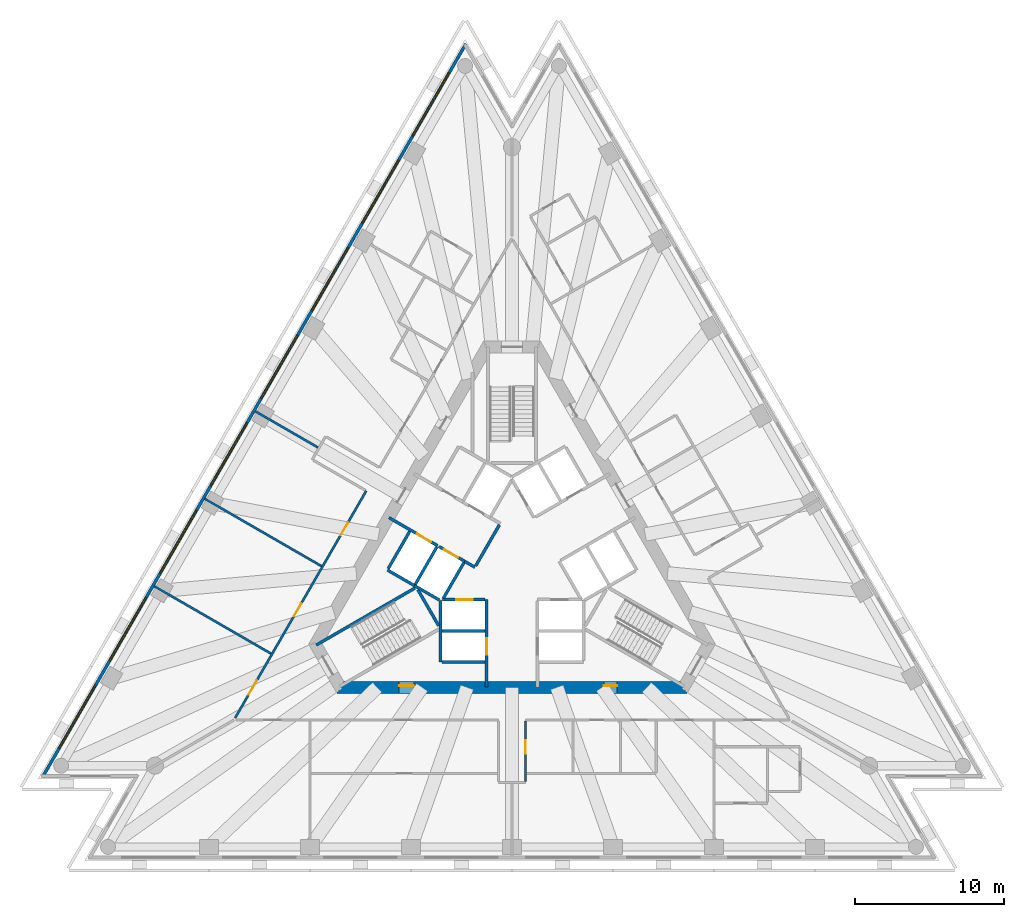
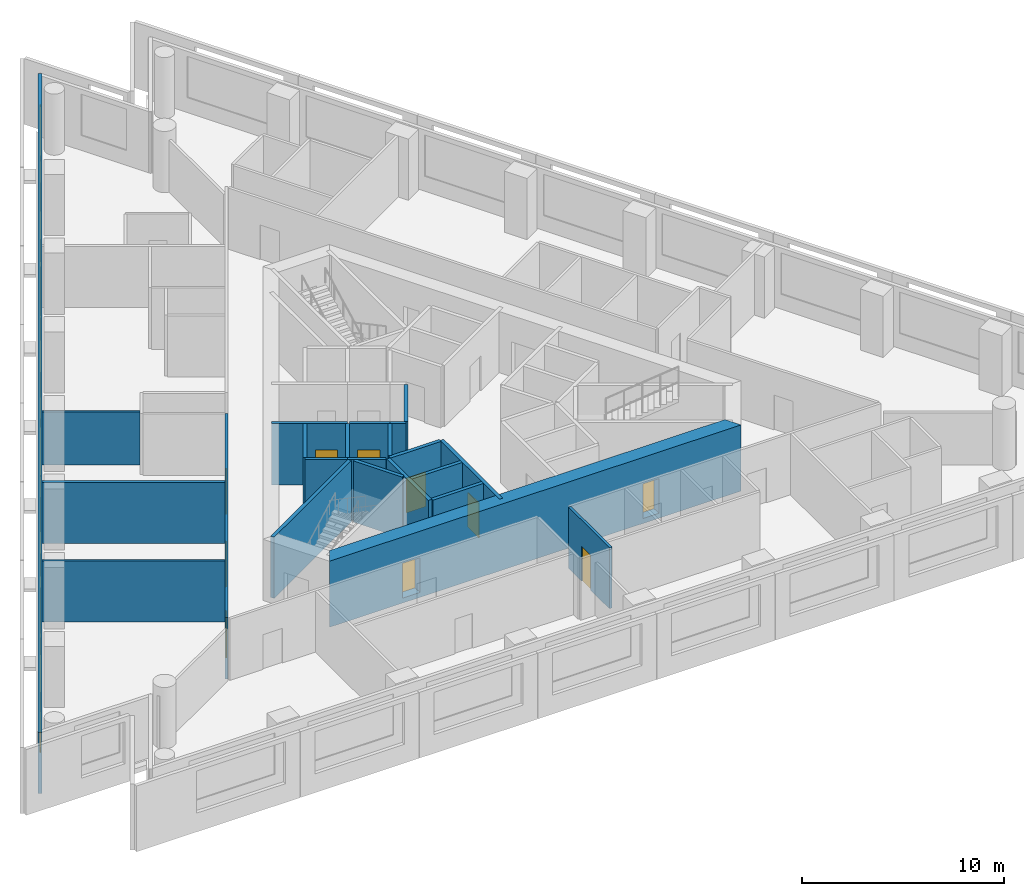
# One storey, part 3 of 9: 23 walls, 10 doors, 8 windows, 18 openings.
"""IFC4 building model written with IfcOpenShell, lengths in metres."""

from ifc_helpers import new_model, si_unit, direction, frame, frame_2d, origin, place, context, subcontext, project, spatial, polyline, rectangle, outline, extrude, material, layer, layer_set, layer_usage, type_object, element, fill, save


model = new_model("IFC4")

# Units and contexts
model_context = context("Model", 3, precision=1e-05, world=origin(), true_north=direction((0.0, 1.0)))
body_context = subcontext(model_context, "Body", "Model", "MODEL_VIEW")
ifc_project = project(units=[si_unit("LENGTHUNIT", "METRE"), si_unit("AREAUNIT", "SQUARE_METRE"), si_unit("VOLUMEUNIT", "CUBIC_METRE"), si_unit("PLANEANGLEUNIT", "RADIAN"), si_unit("MASSUNIT", "GRAM", prefix="KILO")], contexts=[model_context])

# Site, building, storey
site_placement = place(None, origin())
site = spatial("IfcSite", under=ifc_project, at=site_placement, CompositionType="ELEMENT")
building_placement = place(site_placement, origin())
building = spatial("IfcBuilding", under=site, at=building_placement, Name="Triada Interchange Tower", CompositionType="ELEMENT")
storey_placement = place(building_placement, frame((0.0, 0.0, 136.300048828125)))
storey = spatial("IfcBuildingStorey", under=building, at=storey_placement, Name="L31", CompositionType="ELEMENT", Elevation=136.300048828125)

# Walls
ifc_material_1 = material(Name="Concrete C30/37", Category="concrete")
ifc_layer_1 = layer(ifc_material_1, 0.199951171875)
ifc_layer_set_1 = layer_set([ifc_layer_1], Name="CORE WALL 200 EI 120")
wall_type_1 = type_object("IfcWallType", Name="CORE WALL 200 EI 120", PredefinedType="SOLIDWALL", material=ifc_layer_set_1)
wall_1_placement = place(storey_placement, frame((-8.3759765625, -0.70703125, 0.0), z_axis=(0.0, 0.0, 1.0), x_axis=(0.866067520717, -0.499927044236, 0.0)))
element("IfcWall", 1, at=wall_1_placement, inside=storey, type_object=wall_type_1, Name="Wall L29 54", PredefinedType="SOLIDWALL", context=body_context, shape_type="SweptSolid", body=[
    extrude(rectangle(XDim=2.100341796875, YDim=0.199951171875, at=frame_2d((1.05029296875, 0.0))), origin(), (0.0, 0.0, 1.0), 3.699951171875),
])
wall_2_placement = place(storey_placement, frame((-8.325927734375, -0.6201171875, 0.0), z_axis=(0.0, 0.0, 1.0), x_axis=(0.500023687443, 0.866011727401, 0.0)))
element("IfcWall", 2, at=wall_2_placement, inside=storey, type_object=wall_type_1, Name="Wall L29 55", PredefinedType="SOLIDWALL", context=body_context, shape_type="SweptSolid", body=[
    extrude(rectangle(XDim=2.899658203125, YDim=0.199951171875, at=frame_2d((1.44970703125, 0.0))), origin(), (0.0, 0.0, 1.0), 3.699951171875),
])
wall_3_placement = place(storey_placement, frame((-4.800048828125, -6.89990234375, 0.0), z_axis=(0.0, 0.0, 1.0), x_axis=(0.0, 1.0, 0.0)))
element("IfcWall", 3, at=wall_3_placement, inside=storey, type_object=wall_type_1, Name="Wall L29 56", PredefinedType="SOLIDWALL", context=body_context, shape_type="SweptSolid", body=[
    extrude(rectangle(XDim=4.130859375, YDim=0.199951171875, at=frame_2d((2.0654296875, 0.0))), origin(), (0.0, 0.0, 1.0), 3.699951171875),
])
for number, where, z_axis, x_axis, name in (
    (4, (-4.699951171875, -6.89990234375, 0.0), (0.0, 0.0, 1.0), (1.0, 0.0, 0.0), "Wall L29 57"),
    (5, (-4.699951171875, -4.800048828125, 0.0), (0.0, 0.0, 1.0), (1.0, 0.0, 0.0), "Wall L29 59"),
):
    element("IfcWall", number, at=place(storey_placement, frame(where, z_axis=z_axis, x_axis=x_axis)), inside=storey, type_object=wall_type_1, Name=name, PredefinedType="SOLIDWALL", context=body_context, shape_type="SweptSolid", body=[
        extrude(rectangle(XDim=2.89990234375, YDim=0.199951171875, at=frame_2d((1.449951171875, 0.0))), origin(), (0.0, 0.0, 1.0), 3.699951171875),
    ])

# Wall, opening, door
wall_4_placement = place(storey_placement, frame((-1.699951171875, -8.580078125, 0.0), z_axis=(0.0, 0.0, 1.0), x_axis=(0.0, 1.0, 0.0)))
wall_4 = element("IfcWall", 6, at=wall_4_placement, inside=storey, type_object=wall_type_1, Name="Wall L29 61", PredefinedType="SOLIDWALL", context=body_context, shape_type="SweptSolid", body=[
    extrude(rectangle(XDim=5.877197265625, YDim=0.199951171875, at=frame_2d((2.9384765625, 0.0))), origin(), (0.0, 0.0, 1.0), 3.699951171875),
])
opening_1_placement = place(wall_4_placement, frame((2.179931640625, 0.0, 0.0)))
opening_1 = element("IfcOpeningElement", 7, at=opening_1_placement, cuts=wall_4, Name="Opening LD-LR4", PredefinedType="OPENING", context=body_context, shape_type="SweptSolid", body=[
    extrude(rectangle(XDim=1.10009765625, YDim=2.10009765625, at=frame_2d((0.550048828125, 1.050048828125))), frame((0.0, 0.10986328125, 0.0), z_axis=(0.0, -1.0, 0.0), x_axis=(1.0, 0.0, 0.0)), (0.0, 0.0, 1.0), 0.219970703125),
])
ifc_material_2 = material(Name="Steel S235 door leaf", Category="steel")
door_type_1 = type_object("IfcDoorType", Name="LIFT LANDING DOOR 1100 EI 120", OperationType="SLIDING_TO_LEFT", PredefinedType="DOOR", material=ifc_material_2)
door_1_placement = place(opening_1_placement, origin())
door_1 = element("IfcDoor", 8, at=door_1_placement, inside=storey, type_object=door_type_1, Name="LR4 landing door L31", OperationType="SLIDING_TO_LEFT", OverallHeight=2.10009765625, OverallWidth=1.10009765625, PredefinedType="DOOR", context=body_context, shape_type="SweptSolid", body=[
    extrude(rectangle(XDim=1.10009765625, YDim=2.10009765625, at=frame_2d((0.550048828125, 1.050048828125))), frame((0.0, 0.02490234375, 0.0), z_axis=(0.0, -1.0, 0.0), x_axis=(1.0, 0.0, 0.0)), (0.0, 0.0, 1.0), 0.050048828125),
])
fill(opening_1, door_1)

wall_5_placement = place(storey_placement, frame((-4.676025390625, -2.699951171875, 0.0), z_axis=(0.0, 0.0, 1.0), x_axis=(1.0, 0.0, 0.0)))
wall_5 = element("IfcWall", 9, at=wall_5_placement, inside=storey, type_object=wall_type_1, Name="Wall L29 62", PredefinedType="SOLIDWALL", context=body_context, shape_type="SweptSolid", body=[
    extrude(rectangle(XDim=2.873046875, YDim=0.199951171875, at=frame_2d((1.4365234375, 0.0))), origin(), (0.0, 0.0, 1.0), 3.699951171875),
])
opening_2_placement = place(wall_5_placement, frame((0.93701171875, 0.0, 0.0)))
opening_2 = element("IfcOpeningElement", 10, at=opening_2_placement, cuts=wall_5, Name="Opening LD-LR3", PredefinedType="OPENING", context=body_context, shape_type="SweptSolid", body=[
    extrude(rectangle(XDim=1.10009765625, YDim=2.10009765625, at=frame_2d((0.550048828125, 1.050048828125))), frame((0.0, 0.10986328125, 0.0), z_axis=(0.0, -1.0, 0.0), x_axis=(1.0, 0.0, 0.0)), (0.0, 0.0, 1.0), 0.219970703125),
])
door_2_placement = place(opening_2_placement, origin())
door_2 = element("IfcDoor", 11, at=door_2_placement, inside=storey, type_object=door_type_1, Name="LR3 landing door L31", OperationType="SLIDING_TO_LEFT", OverallHeight=2.10009765625, OverallWidth=1.10009765625, PredefinedType="DOOR", context=body_context, shape_type="SweptSolid", body=[
    extrude(rectangle(XDim=1.10009765625, YDim=2.10009765625, at=frame_2d((0.550048828125, 1.050048828125))), frame((0.0, 0.02490234375, 0.0), z_axis=(0.0, -1.0, 0.0), x_axis=(1.0, 0.0, 0.0)), (0.0, 0.0, 1.0), 0.050048828125),
])
fill(opening_2, door_2)

ifc_layer_2 = layer(ifc_material_1, 0.199951171875)
ifc_layer_set_2 = layer_set([ifc_layer_2], Name="CORE WALL 200 EI 180")
wall_type_2 = type_object("IfcWallType", Name="CORE WALL 200 EI 180", PredefinedType="SOLIDWALL", material=ifc_layer_set_2)
wall_6_placement = place(storey_placement, frame((-8.280029296875, 2.818115234375, 0.0), z_axis=(0.0, 0.0, 1.0), x_axis=(0.86600175068, -0.50004096614, 0.0)))
wall_6 = element("IfcWall", 12, at=wall_6_placement, inside=storey, type_object=wall_type_2, Name="Wall L29 76", PredefinedType="SOLIDWALL", context=body_context, shape_type="SweptSolid", body=[
    extrude(rectangle(XDim=3.781982421875, YDim=0.199951171875, at=frame_2d((1.89111328125, 0.0))), origin(), (0.0, 0.0, 1.0), 3.699951171875),
])
opening_3_placement = place(wall_6_placement, frame((2.179931640625, 0.0, 0.0)))
opening_3 = element("IfcOpeningElement", 13, at=opening_3_placement, cuts=wall_6, Name="Opening LD-SV1", PredefinedType="OPENING", context=body_context, shape_type="SweptSolid", body=[
    extrude(rectangle(XDim=1.10009765625, YDim=2.10009765625, at=frame_2d((0.550048828125, 1.050048828125))), frame((0.0, 0.10986328125, 0.0), z_axis=(0.0, -1.0, 0.0), x_axis=(1.0, 0.0, 0.0)), (0.0, 0.0, 1.0), 0.219970703125),
])
door_3_placement = place(opening_3_placement, origin())
door_3 = element("IfcDoor", 14, at=door_3_placement, inside=storey, type_object=door_type_1, Name="SV1 landing door L31", OperationType="SLIDING_TO_LEFT", OverallHeight=2.10009765625, OverallWidth=1.10009765625, PredefinedType="DOOR", context=body_context, shape_type="SweptSolid", body=[
    extrude(rectangle(XDim=1.10009765625, YDim=2.10009765625, at=frame_2d((0.550048828125, 1.050048828125))), frame((0.0, 0.02490234375, 0.0), z_axis=(0.0, -1.0, 0.0), x_axis=(1.0, 0.0, 0.0)), (0.0, 0.0, 1.0), 0.050048828125),
])
fill(opening_3, door_3)

# Walls
wall_7_placement = place(storey_placement, frame((-3.18798828125, -0.1220703125, 0.0), z_axis=(0.0, 0.0, 1.0), x_axis=(0.865705793592, -0.50055317294, 0.0)))
element("IfcWall", 15, at=wall_7_placement, inside=storey, type_object=wall_type_2, Name="Wall L29 77", PredefinedType="SOLIDWALL", context=body_context, shape_type="SweptSolid", body=[
    extrude(rectangle(XDim=0.796875, YDim=0.199951171875, at=frame_2d((0.3984375, 0.0))), origin(), (0.0, 0.0, 1.0), 3.699951171875),
])
wall_8_placement = place(storey_placement, frame((-2.444091796875, -0.43310546875, 0.0), z_axis=(0.0, 0.0, 1.0), x_axis=(0.500035624827, 0.866004834804, 0.0)))
element("IfcWall", 16, at=wall_8_placement, inside=storey, type_object=wall_type_2, Name="Wall L29 82", PredefinedType="SOLIDWALL", context=body_context, shape_type="SweptSolid", body=[
    extrude(rectangle(XDim=3.194091796875, YDim=0.199951171875, at=frame_2d((1.59716796875, 0.0))), origin(), (0.0, 0.0, 1.0), 3.699951171875),
])
wall_9_placement = place(storey_placement, frame((-6.556884765625, -1.757080078125, 0.0), z_axis=(0.0, 0.0, 1.0), x_axis=(0.8659754619, -0.500086491905, 0.0)))
element("IfcWall", 17, at=wall_9_placement, inside=storey, type_object=wall_type_2, Name="Shaft wall FF1 L29 83", PredefinedType="SOLIDWALL", context=body_context, shape_type="SweptSolid", body=[
    extrude(rectangle(XDim=1.915771484375, YDim=0.199951171875, at=frame_2d((0.9580078125, 0.0))), origin(), (0.0, 0.0, 1.0), 3.699951171875),
])
wall_10_placement = place(storey_placement, frame((-6.507080078125, -1.669921875, 0.0), z_axis=(0.0, 0.0, 1.0), x_axis=(0.50012328804, 0.865954211699, 0.0)))
element("IfcWall", 18, at=wall_10_placement, inside=storey, type_object=wall_type_2, Name="Shaft wall FF1 L29 84", PredefinedType="SOLIDWALL", context=body_context, shape_type="SweptSolid", body=[
    extrude(rectangle(XDim=2.899658203125, YDim=0.199951171875, at=frame_2d((1.44970703125, 0.0))), origin(), (0.0, 0.0, 1.0), 3.699951171875),
])

# Wall, opening, door
wall_11_placement = place(storey_placement, frame((-4.919921875, 0.8779296875, 0.0), z_axis=(0.0, 0.0, 1.0), x_axis=(0.866010750942, -0.50002537861, 0.0)))
wall_11 = element("IfcWall", 19, at=wall_11_placement, inside=storey, type_object=wall_type_2, Name="Shaft wall FF1 L29 85", PredefinedType="SOLIDWALL", context=body_context, shape_type="SweptSolid", body=[
    extrude(rectangle(XDim=2.0, YDim=0.199951171875, at=frame_2d((1.0, 0.0))), origin(), (0.0, 0.0, 1.0), 3.699951171875),
])
opening_4_placement = place(wall_11_placement, frame((0.39990234375, 0.0, 0.0)))
opening_4 = element("IfcOpeningElement", 20, at=opening_4_placement, cuts=wall_11, Name="Opening LD-FF1", PredefinedType="OPENING", context=body_context, shape_type="SweptSolid", body=[
    extrude(rectangle(XDim=1.10009765625, YDim=2.10009765625, at=frame_2d((0.550048828125, 1.050048828125))), frame((0.0, 0.10986328125, 0.0), z_axis=(0.0, -1.0, 0.0), x_axis=(1.0, 0.0, 0.0)), (0.0, 0.0, 1.0), 0.219970703125),
])
door_4_placement = place(opening_4_placement, origin())
door_4 = element("IfcDoor", 21, at=door_4_placement, inside=storey, type_object=door_type_1, Name="FF1 landing door L31", OperationType="SLIDING_TO_LEFT", OverallHeight=2.10009765625, OverallWidth=1.10009765625, PredefinedType="DOOR", context=body_context, shape_type="SweptSolid", body=[
    extrude(rectangle(XDim=1.10009765625, YDim=2.10009765625, at=frame_2d((0.550048828125, 1.050048828125))), frame((0.0, 0.02490234375, 0.0), z_axis=(0.0, -1.0, 0.0), x_axis=(1.0, 0.0, 0.0)), (0.0, 0.0, 1.0), 0.050048828125),
])
fill(opening_4, door_4)

# Walls
wall_12_placement = place(storey_placement, frame((-4.618896484375, -2.60009765625, 0.0), z_axis=(0.0, 0.0, 1.0), x_axis=(0.50009492287, 0.865970593103, 0.0)))
element("IfcWall", 22, at=wall_12_placement, inside=storey, type_object=wall_type_2, Name="Shaft wall FF1 L29 86", PredefinedType="SOLIDWALL", context=body_context, shape_type="SweptSolid", body=[
    extrude(rectangle(XDim=2.76123046875, YDim=0.199951171875, at=frame_2d((1.380615234375, 0.0))), origin(), (0.0, 0.0, 1.0), 3.699951171875),
])
ifc_layer_3 = layer(ifc_material_1, 0.199951171875)
ifc_layer_set_3 = layer_set([ifc_layer_3], Name="CORE WALL 200 REI 240")
wall_type_3 = type_object("IfcWallType", Name="CORE WALL 200 REI 240", PredefinedType="SOLIDWALL", material=ifc_layer_set_3)
wall_13_placement = place(storey_placement, frame((-13.1669921875, -5.75390625, 0.0), z_axis=(0.0, 0.0, 1.0), x_axis=(0.866060938598, 0.499938446846, 0.0)))
element("IfcWall", 23, at=wall_13_placement, inside=storey, type_object=wall_type_3, Name="Wall L29 92", PredefinedType="SOLIDWALL", context=body_context, shape_type="SweptSolid", body=[
    extrude(rectangle(XDim=7.66455078125, YDim=0.199951171875, at=frame_2d((3.832275390625, 0.0))), origin(), (0.0, 0.0, 1.0), 3.699951171875),
])
wall_14_placement = place(storey_placement, frame((-6.3291015625, -2.0380859375, 0.0), z_axis=(0.0, 0.0, 1.0), x_axis=(0.500200581029, -0.865909567298, 0.0)))
element("IfcWall", 24, at=wall_14_placement, inside=storey, type_object=wall_type_3, Name="Wall L29 93", PredefinedType="SOLIDWALL", context=body_context, shape_type="SweptSolid", body=[
    extrude(rectangle(XDim=2.799072265625, YDim=0.199951171875, at=frame_2d((1.3994140625, 0.0))), origin(), (0.0, 0.0, 1.0), 3.699951171875),
])

# Wall, openings, doors
ifc_material_3 = material(Name="Concrete C60/75", Category="concrete")
ifc_layer_4 = layer(ifc_material_3, 0.800048828125)
ifc_layer_set_4 = layer_set([ifc_layer_4], Name="Core wall B 800")
wall_type_4 = type_object("IfcWallType", Name="Core wall B 800", PredefinedType="SHEAR", material=ifc_layer_set_4)
wall_15_placement = place(storey_placement, frame((-11.547119140625, -8.60009765625, -0.300048828125), z_axis=(0.0, 0.0, 1.0), x_axis=(1.0, 0.0, 0.0)))
wall_15 = element("IfcWall", 25, at=wall_15_placement, inside=storey, type_object=wall_type_4, Name="Core wall WB04 L31", PredefinedType="SHEAR", context=body_context, shape_type="SweptSolid", body=[
    extrude(outline(polyline([(-0.23095703125, -0.39990234375), (1.73193359375, -0.39990234375), (3.695068359375, -0.39990234375), (5.657958984375, -0.39990234375), (7.62109375, -0.39990234375), (9.583984375, -0.39990234375), (11.546875, -0.39990234375), (13.510009765625, -0.39990234375), (15.472900390625, -0.39990234375), (17.43603515625, -0.39990234375), (19.39892578125, -0.39990234375), (21.362060546875, -0.39990234375), (23.324951171875, -0.39990234375), (22.863037109375, 0.39990234375), (20.97705078125, 0.39990234375), (19.091064453125, 0.39990234375), (17.205078125, 0.39990234375), (15.319091796875, 0.39990234375), (13.43310546875, 0.39990234375), (11.546875, 0.39990234375), (9.660888671875, 0.39990234375), (7.77490234375, 0.39990234375), (5.888916015625, 0.39990234375), (4.0029296875, 0.39990234375), (2.116943359375, 0.39990234375), (0.23095703125, 0.39990234375), (-0.23095703125, -0.39990234375)])), origin(), (0.0, 0.0, 1.0), 4.0),
])
opening_5_placement = place(wall_15_placement, frame((3.950927734375, 0.0, 0.300048828125)))
opening_5 = element("IfcOpeningElement", 26, at=opening_5_placement, cuts=wall_15, Name="Opening D29-42", PredefinedType="OPENING", context=body_context, shape_type="SweptSolid", body=[
    extrude(rectangle(XDim=1.0, YDim=2.10009765625, at=frame_2d((0.5, 1.050048828125))), frame((0.0, 0.409912109375, 0.0), z_axis=(0.0, -1.0, 0.0), x_axis=(1.0, 0.0, 0.0)), (0.0, 0.0, 1.0), 0.820068359375),
])
opening_6_placement = place(wall_15_placement, frame((17.721923828125, 0.0, 0.300048828125)))
opening_6 = element("IfcOpeningElement", 27, at=opening_6_placement, cuts=wall_15, Name="Opening D29-45", PredefinedType="OPENING", context=body_context, shape_type="SweptSolid", body=[
    extrude(rectangle(XDim=0.89990234375, YDim=2.10009765625, at=frame_2d((0.449951171875, 1.050048828125))), frame((0.0, 0.409912109375, 0.0), z_axis=(0.0, -1.0, 0.0), x_axis=(1.0, 0.0, 0.0)), (0.0, 0.0, 1.0), 0.820068359375),
])
door_type_2 = type_object("IfcDoorType", Name="SERVICE DOOR 1000 EI2 45-C5S200", OperationType="NOTDEFINED", PredefinedType="DOOR", material=ifc_material_2)
door_5_placement = place(opening_5_placement, origin())
door_5 = element("IfcDoor", 28, at=door_5_placement, inside=storey, type_object=door_type_2, Name="Door D29-42 L31", OperationType="SINGLE_SWING_LEFT", OverallHeight=2.10009765625, OverallWidth=1.0, PredefinedType="DOOR", context=body_context, shape_type="SweptSolid", body=[
    extrude(rectangle(XDim=1.0, YDim=2.10009765625, at=frame_2d((0.5, 1.050048828125))), frame((0.0, 0.125, 0.0), z_axis=(0.0, -1.0, 0.0), x_axis=(1.0, 0.0, 0.0)), (0.0, 0.0, 1.0), 0.050048828125),
])
fill(opening_5, door_5)
door_type_3 = type_object("IfcDoorType", Name="SERVICE DOOR 900 EI2 45-C5S200", OperationType="NOTDEFINED", PredefinedType="DOOR", material=ifc_material_2)
door_6_placement = place(opening_6_placement, origin())
door_6 = element("IfcDoor", 29, at=door_6_placement, inside=storey, type_object=door_type_3, Name="Door D29-45 L31", OperationType="SINGLE_SWING_LEFT", OverallHeight=2.10009765625, OverallWidth=0.89990234375, PredefinedType="DOOR", context=body_context, shape_type="SweptSolid", body=[
    extrude(rectangle(XDim=0.89990234375, YDim=2.10009765625, at=frame_2d((0.449951171875, 1.050048828125))), frame((0.0, 0.125, 0.0), z_axis=(0.0, -1.0, 0.0), x_axis=(1.0, 0.0, 0.0)), (0.0, 0.0, 1.0), 0.050048828125),
])
fill(opening_6, door_6)

# Wall, openings, windows
ifc_material_4 = material(Name="Cement board")
ifc_layer_5 = layer(ifc_material_4, 0.02001953125, Name="Cement board cladding")
ifc_material_5 = material(Name="Sheathing board")
ifc_layer_6 = layer(ifc_material_5, 0.014892578125, Name="Sheathing board")
ifc_material_6 = material(Name="Mineral wool")
ifc_layer_7 = layer(ifc_material_6, 0.14990234375, Name="Mineral wool between steel studs")
ifc_material_7 = material(Name="Gypsum board")
ifc_layer_8 = layer(ifc_material_7, 0.014892578125, Name="Plasterboard lining")
ifc_layer_set_5 = layer_set([ifc_layer_5, ifc_layer_6, ifc_layer_7, ifc_layer_8], Name="External wall 200")
ifc_layer_usage = layer_usage(ifc_layer_set_5, "AXIS2", "POSITIVE", -0.10009765625)
wall_type_5 = type_object("IfcWallType", Name="External wall 200", PredefinedType="ELEMENTEDWALL", material=ifc_layer_set_5)
wall_16_placement = place(storey_placement, frame((-3.10888671875, 34.678955078125, 0.0), z_axis=(0.0, 0.0, 1.0), x_axis=(-0.50000689325, -0.866021423928, 0.0)))
wall_16 = element("IfcWall", 30, at=wall_16_placement, inside=storey, type_object=wall_type_5, material=ifc_layer_usage, Name="External wall L31 NW", PredefinedType="ELEMENTEDWALL", context=body_context, shape_type="SweptSolid", body=[
    extrude(rectangle(XDim=56.937255859375, YDim=0.199951171875, at=frame_2d((28.46875, 0.0))), origin(), (0.0, 0.0, 1.0), 3.699951171875),
])
opening_7_placement = place(wall_16_placement, frame((2.2490234375, 0.0, 0.89990234375)))
opening_7 = element("IfcOpeningElement", 31, at=opening_7_placement, cuts=wall_16, Name="Opening WB01", PredefinedType="OPENING", context=body_context, shape_type="SweptSolid", body=[
    extrude(rectangle(XDim=4.89990234375, YDim=2.5, at=frame_2d((2.449951171875, 1.25))), frame((0.0, 0.10986328125, 0.0), z_axis=(0.0, -1.0, 0.0), x_axis=(1.0, 0.0, 0.0)), (0.0, 0.0, 1.0), 0.219970703125),
])
opening_8_placement = place(wall_16_placement, frame((9.04296875, 0.0, 0.89990234375)))
opening_8 = element("IfcOpeningElement", 32, at=opening_8_placement, cuts=wall_16, Name="Opening WB02", PredefinedType="OPENING", context=body_context, shape_type="SweptSolid", body=[
    extrude(rectangle(XDim=4.89990234375, YDim=2.5, at=frame_2d((2.449951171875, 1.25))), frame((0.0, 0.10986328125, 0.0), z_axis=(0.0, -1.0, 0.0), x_axis=(1.0, 0.0, 0.0)), (0.0, 0.0, 1.0), 0.219970703125),
])
opening_9_placement = place(wall_16_placement, frame((15.8369140625, 0.0, 0.89990234375)))
opening_9 = element("IfcOpeningElement", 33, at=opening_9_placement, cuts=wall_16, Name="Opening WB03", PredefinedType="OPENING", context=body_context, shape_type="SweptSolid", body=[
    extrude(rectangle(XDim=4.89990234375, YDim=2.5, at=frame_2d((2.449951171875, 1.25))), frame((0.0, 0.10986328125, 0.0), z_axis=(0.0, -1.0, 0.0), x_axis=(1.0, 0.0, 0.0)), (0.0, 0.0, 1.0), 0.219970703125),
])
opening_10_placement = place(wall_16_placement, frame((22.631103515625, 0.0, 0.89990234375)))
opening_10 = element("IfcOpeningElement", 34, at=opening_10_placement, cuts=wall_16, Name="Opening WB04", PredefinedType="OPENING", context=body_context, shape_type="SweptSolid", body=[
    extrude(rectangle(XDim=4.89990234375, YDim=2.5, at=frame_2d((2.449951171875, 1.25))), frame((0.0, 0.10986328125, 0.0), z_axis=(0.0, -1.0, 0.0), x_axis=(1.0, 0.0, 0.0)), (0.0, 0.0, 1.0), 0.219970703125),
])
opening_11_placement = place(wall_16_placement, frame((29.425048828125, 0.0, 0.89990234375)))
opening_11 = element("IfcOpeningElement", 35, at=opening_11_placement, cuts=wall_16, Name="Opening WB05", PredefinedType="OPENING", context=body_context, shape_type="SweptSolid", body=[
    extrude(rectangle(XDim=4.89990234375, YDim=2.5, at=frame_2d((2.449951171875, 1.25))), frame((0.0, 0.10986328125, 0.0), z_axis=(0.0, -1.0, 0.0), x_axis=(1.0, 0.0, 0.0)), (0.0, 0.0, 1.0), 0.219970703125),
])
opening_12_placement = place(wall_16_placement, frame((36.218994140625, 0.0, 0.89990234375)))
opening_12 = element("IfcOpeningElement", 36, at=opening_12_placement, cuts=wall_16, Name="Opening WB06", PredefinedType="OPENING", context=body_context, shape_type="SweptSolid", body=[
    extrude(rectangle(XDim=4.89990234375, YDim=2.5, at=frame_2d((2.449951171875, 1.25))), frame((0.0, 0.10986328125, 0.0), z_axis=(0.0, -1.0, 0.0), x_axis=(1.0, 0.0, 0.0)), (0.0, 0.0, 1.0), 0.219970703125),
])
opening_13_placement = place(wall_16_placement, frame((43.012939453125, 0.0, 0.89990234375)))
opening_13 = element("IfcOpeningElement", 37, at=opening_13_placement, cuts=wall_16, Name="Opening WB07", PredefinedType="OPENING", context=body_context, shape_type="SweptSolid", body=[
    extrude(rectangle(XDim=4.89990234375, YDim=2.5, at=frame_2d((2.449951171875, 1.25))), frame((0.0, 0.10986328125, 0.0), z_axis=(0.0, -1.0, 0.0), x_axis=(1.0, 0.0, 0.0)), (0.0, 0.0, 1.0), 0.219970703125),
])
opening_14_placement = place(wall_16_placement, frame((49.806884765625, 0.0, 0.89990234375)))
opening_14 = element("IfcOpeningElement", 38, at=opening_14_placement, cuts=wall_16, Name="Opening WB08", PredefinedType="OPENING", context=body_context, shape_type="SweptSolid", body=[
    extrude(rectangle(XDim=4.89990234375, YDim=2.5, at=frame_2d((2.449951171875, 1.25))), frame((0.0, 0.10986328125, 0.0), z_axis=(0.0, -1.0, 0.0), x_axis=(1.0, 0.0, 0.0)), (0.0, 0.0, 1.0), 0.219970703125),
])
ifc_material_8 = material(Name="Double glazed aluminium window", Category="aluminium")
window_type = type_object("IfcWindowType", Name="Ribbon window B face", PartitioningType="SINGLE_PANEL", PredefinedType="WINDOW", material=ifc_material_8)
window_1_placement = place(opening_7_placement, origin())
window_1 = element("IfcWindow", 39, at=window_1_placement, inside=storey, type_object=window_type, Name="Window L31 NW 1", OverallHeight=2.5, OverallWidth=4.89990234375, PartitioningType="SINGLE_PANEL", PredefinedType="WINDOW", context=body_context, shape_type="SweptSolid", body=[
    extrude(rectangle(XDim=4.89990234375, YDim=2.5, at=frame_2d((2.449951171875, 1.25))), frame((0.0, 0.030029296875, 0.0), z_axis=(0.0, -1.0, 0.0), x_axis=(1.0, 0.0, 0.0)), (0.0, 0.0, 1.0), 0.06005859375),
])
fill(opening_7, window_1)
window_2_placement = place(opening_8_placement, origin())
window_2 = element("IfcWindow", 40, at=window_2_placement, inside=storey, type_object=window_type, Name="Window L31 NW 2", OverallHeight=2.5, OverallWidth=4.89990234375, PartitioningType="SINGLE_PANEL", PredefinedType="WINDOW", context=body_context, shape_type="SweptSolid", body=[
    extrude(rectangle(XDim=4.89990234375, YDim=2.5, at=frame_2d((2.449951171875, 1.25))), frame((0.0, 0.030029296875, 0.0), z_axis=(0.0, -1.0, 0.0), x_axis=(1.0, 0.0, 0.0)), (0.0, 0.0, 1.0), 0.06005859375),
])
fill(opening_8, window_2)
window_3_placement = place(opening_9_placement, origin())
window_3 = element("IfcWindow", 41, at=window_3_placement, inside=storey, type_object=window_type, Name="Window L31 NW 3", OverallHeight=2.5, OverallWidth=4.89990234375, PartitioningType="SINGLE_PANEL", PredefinedType="WINDOW", context=body_context, shape_type="SweptSolid", body=[
    extrude(rectangle(XDim=4.89990234375, YDim=2.5, at=frame_2d((2.449951171875, 1.25))), frame((0.0, 0.030029296875, 0.0), z_axis=(0.0, -1.0, 0.0), x_axis=(1.0, 0.0, 0.0)), (0.0, 0.0, 1.0), 0.06005859375),
])
fill(opening_9, window_3)
window_4_placement = place(opening_10_placement, origin())
window_4 = element("IfcWindow", 42, at=window_4_placement, inside=storey, type_object=window_type, Name="Window L31 NW 4", OverallHeight=2.5, OverallWidth=4.89990234375, PartitioningType="SINGLE_PANEL", PredefinedType="WINDOW", context=body_context, shape_type="SweptSolid", body=[
    extrude(rectangle(XDim=4.89990234375, YDim=2.5, at=frame_2d((2.449951171875, 1.25))), frame((0.0, 0.030029296875, 0.0), z_axis=(0.0, -1.0, 0.0), x_axis=(1.0, 0.0, 0.0)), (0.0, 0.0, 1.0), 0.06005859375),
])
fill(opening_10, window_4)
window_5_placement = place(opening_11_placement, origin())
window_5 = element("IfcWindow", 43, at=window_5_placement, inside=storey, type_object=window_type, Name="Window L31 NW 5", OverallHeight=2.5, OverallWidth=4.89990234375, PartitioningType="SINGLE_PANEL", PredefinedType="WINDOW", context=body_context, shape_type="SweptSolid", body=[
    extrude(rectangle(XDim=4.89990234375, YDim=2.5, at=frame_2d((2.449951171875, 1.25))), frame((0.0, 0.030029296875, 0.0), z_axis=(0.0, -1.0, 0.0), x_axis=(1.0, 0.0, 0.0)), (0.0, 0.0, 1.0), 0.06005859375),
])
fill(opening_11, window_5)
window_6_placement = place(opening_12_placement, origin())
window_6 = element("IfcWindow", 44, at=window_6_placement, inside=storey, type_object=window_type, Name="Window L31 NW 6", OverallHeight=2.5, OverallWidth=4.89990234375, PartitioningType="SINGLE_PANEL", PredefinedType="WINDOW", context=body_context, shape_type="SweptSolid", body=[
    extrude(rectangle(XDim=4.89990234375, YDim=2.5, at=frame_2d((2.449951171875, 1.25))), frame((0.0, 0.030029296875, 0.0), z_axis=(0.0, -1.0, 0.0), x_axis=(1.0, 0.0, 0.0)), (0.0, 0.0, 1.0), 0.06005859375),
])
fill(opening_12, window_6)
window_7_placement = place(opening_13_placement, origin())
window_7 = element("IfcWindow", 45, at=window_7_placement, inside=storey, type_object=window_type, Name="Window L31 NW 7", OverallHeight=2.5, OverallWidth=4.89990234375, PartitioningType="SINGLE_PANEL", PredefinedType="WINDOW", context=body_context, shape_type="SweptSolid", body=[
    extrude(rectangle(XDim=4.89990234375, YDim=2.5, at=frame_2d((2.449951171875, 1.25))), frame((0.0, 0.030029296875, 0.0), z_axis=(0.0, -1.0, 0.0), x_axis=(1.0, 0.0, 0.0)), (0.0, 0.0, 1.0), 0.06005859375),
])
fill(opening_13, window_7)
window_8_placement = place(opening_14_placement, origin())
window_8 = element("IfcWindow", 46, at=window_8_placement, inside=storey, type_object=window_type, Name="Window L31 NW 8", OverallHeight=2.5, OverallWidth=4.89990234375, PartitioningType="SINGLE_PANEL", PredefinedType="WINDOW", context=body_context, shape_type="SweptSolid", body=[
    extrude(rectangle(XDim=4.89990234375, YDim=2.5, at=frame_2d((2.449951171875, 1.25))), frame((0.0, 0.030029296875, 0.0), z_axis=(0.0, -1.0, 0.0), x_axis=(1.0, 0.0, 0.0)), (0.0, 0.0, 1.0), 0.06005859375),
])
fill(opening_14, window_8)

# Walls
ifc_material_9 = material(Name="Gypsum board partition")
ifc_layer_9 = layer(ifc_material_9, 0.14990234375)
ifc_layer_set_6 = layer_set([ifc_layer_9], Name="PARTITION 150 EI 180")
wall_type_6 = type_object("IfcWallType", Name="PARTITION 150 EI 180", PredefinedType="PARTITIONING", material=ifc_layer_set_6)
for number, where, z_axis, x_axis, name in (
    (47, (-24.072998046875, -1.7919921875, 0.0), (0.0, 0.0, 1.0), (0.866049876065, -0.49995761037, 0.0), "Wall L29 2"),
    (48, (-20.676025390625, 4.092041015625, 0.0), (0.0, 0.0, 1.0), (0.866049876065, -0.49995761037, 0.0), "Wall L29 3"),
):
    element("IfcWall", number, at=place(storey_placement, frame(where, z_axis=z_axis, x_axis=x_axis)), inside=storey, type_object=wall_type_6, Name=name, PredefinedType="PARTITIONING", context=body_context, shape_type="SweptSolid", body=[
        extrude(rectangle(XDim=9.076904296875, YDim=0.14990234375, at=frame_2d((4.53857421875, 0.0))), origin(), (0.0, 0.0, 1.0), 3.699951171875),
    ])

# Wall, openings, doors
wall_17_placement = place(storey_placement, frame((-18.631103515625, -10.669921875, 0.0), z_axis=(0.0, 0.0, 1.0), x_axis=(0.499976222121, 0.866039131514, 0.0)))
wall_17 = element("IfcWall", 49, at=wall_17_placement, inside=storey, type_object=wall_type_6, Name="Wall L29 6", PredefinedType="PARTITIONING", context=body_context, shape_type="SweptSolid", body=[
    extrude(rectangle(XDim=17.655029296875, YDim=0.14990234375, at=frame_2d((8.82763671875, 0.0))), origin(), (0.0, 0.0, 1.0), 3.699951171875),
])
opening_15_placement = place(wall_17_placement, frame((14.2060546875, 0.0, 0.0)))
opening_15 = element("IfcOpeningElement", 50, at=opening_15_placement, cuts=wall_17, Name="Opening D29-34", PredefinedType="OPENING", context=body_context, shape_type="SweptSolid", body=[
    extrude(rectangle(XDim=1.0, YDim=2.10009765625, at=frame_2d((0.5, 1.050048828125))), frame((0.0, 0.0849609375, 0.0), z_axis=(0.0, -1.0, 0.0), x_axis=(1.0, 0.0, 0.0)), (0.0, 0.0, 1.0), 0.169921875),
])
opening_16_placement = place(wall_17_placement, frame((7.912109375, 0.0, 0.0)))
opening_16 = element("IfcOpeningElement", 51, at=opening_16_placement, cuts=wall_17, Name="Opening D29-35", PredefinedType="OPENING", context=body_context, shape_type="SweptSolid", body=[
    extrude(rectangle(XDim=1.0, YDim=2.10009765625, at=frame_2d((0.5, 1.050048828125))), frame((0.0, 0.0849609375, 0.0), z_axis=(0.0, -1.0, 0.0), x_axis=(1.0, 0.0, 0.0)), (0.0, 0.0, 1.0), 0.169921875),
])
opening_17_placement = place(wall_17_placement, frame((1.818115234375, 0.0, 0.0)))
opening_17 = element("IfcOpeningElement", 52, at=opening_17_placement, cuts=wall_17, Name="Opening D29-36", PredefinedType="OPENING", context=body_context, shape_type="SweptSolid", body=[
    extrude(rectangle(XDim=1.10009765625, YDim=2.10009765625, at=frame_2d((0.550048828125, 1.050048828125))), frame((0.0, 0.0849609375, 0.0), z_axis=(0.0, -1.0, 0.0), x_axis=(1.0, 0.0, 0.0)), (0.0, 0.0, 1.0), 0.169921875),
])
door_type_4 = type_object("IfcDoorType", Name="ROOM DOOR 1000 EI2 90-C5S200", OperationType="NOTDEFINED", PredefinedType="DOOR", material=ifc_material_2)
door_7_placement = place(opening_15_placement, origin())
door_7 = element("IfcDoor", 53, at=door_7_placement, inside=storey, type_object=door_type_4, Name="Door D29-34 L31", OperationType="SINGLE_SWING_RIGHT", OverallHeight=2.10009765625, OverallWidth=1.0, PredefinedType="DOOR", context=body_context, shape_type="SweptSolid", body=[
    extrude(rectangle(XDim=1.0, YDim=2.10009765625, at=frame_2d((0.5, 1.050048828125))), frame((0.0, 0.02490234375, 0.0), z_axis=(0.0, -1.0, 0.0), x_axis=(1.0, 0.0, 0.0)), (0.0, 0.0, 1.0), 0.050048828125),
])
fill(opening_15, door_7)
door_8_placement = place(opening_16_placement, origin())
door_8 = element("IfcDoor", 54, at=door_8_placement, inside=storey, type_object=door_type_4, Name="Door D29-35 L31", OperationType="SINGLE_SWING_LEFT", OverallHeight=2.10009765625, OverallWidth=1.0, PredefinedType="DOOR", context=body_context, shape_type="SweptSolid", body=[
    extrude(rectangle(XDim=1.0, YDim=2.10009765625, at=frame_2d((0.5, 1.050048828125))), frame((0.0, 0.02490234375, 0.0), z_axis=(0.0, -1.0, 0.0), x_axis=(1.0, 0.0, 0.0)), (0.0, 0.0, 1.0), 0.050048828125),
])
fill(opening_16, door_8)
door_type_5 = type_object("IfcDoorType", Name="TENANCY ENTRANCE DOOR 1100 EI2 90-C5S200", OperationType="NOTDEFINED", PredefinedType="DOOR", material=ifc_material_2)
door_9_placement = place(opening_17_placement, origin())
door_9 = element("IfcDoor", 55, at=door_9_placement, inside=storey, type_object=door_type_5, Name="Door D29-36 L31", OperationType="SINGLE_SWING_LEFT", OverallHeight=2.10009765625, OverallWidth=1.10009765625, PredefinedType="DOOR", context=body_context, shape_type="SweptSolid", body=[
    extrude(rectangle(XDim=1.10009765625, YDim=2.10009765625, at=frame_2d((0.550048828125, 1.050048828125))), frame((0.0, 0.02490234375, 0.0), z_axis=(0.0, -1.0, 0.0), x_axis=(1.0, 0.0, 0.0)), (0.0, 0.0, 1.0), 0.050048828125),
])
fill(opening_17, door_9)

# Wall
wall_18_placement = place(storey_placement, frame((-17.279052734375, 9.97607421875, 0.0), z_axis=(0.0, 0.0, 1.0), x_axis=(0.866097235509, -0.49987556316, 0.0)))
element("IfcWall", 56, at=wall_18_placement, inside=storey, type_object=wall_type_6, Name="Wall L29 8", PredefinedType="PARTITIONING", context=body_context, shape_type="SweptSolid", body=[
    extrude(rectangle(XDim=4.877197265625, YDim=0.14990234375, at=frame_2d((2.4384765625, 0.0))), origin(), (0.0, 0.0, 1.0), 3.199951171875),
])

# Wall, opening, door
wall_19_placement = place(storey_placement, frame((0.89990234375, -14.925048828125, 0.0), z_axis=(0.0, 0.0, 1.0), x_axis=(0.0, 1.0, 0.0)))
wall_19 = element("IfcWall", 57, at=wall_19_placement, inside=storey, type_object=wall_type_6, Name="Wall L29 23", PredefinedType="PARTITIONING", context=body_context, shape_type="SweptSolid", body=[
    extrude(rectangle(XDim=4.049072265625, YDim=0.14990234375, at=frame_2d((2.0244140625, 0.0))), origin(), (0.0, 0.0, 1.0), 3.699951171875),
])
opening_18_placement = place(wall_19_placement, frame((1.875, 0.0, 0.0)))
opening_18 = element("IfcOpeningElement", 58, at=opening_18_placement, cuts=wall_19, Name="Opening D29-15", PredefinedType="OPENING", context=body_context, shape_type="SweptSolid", body=[
    extrude(rectangle(XDim=0.89990234375, YDim=2.10009765625, at=frame_2d((0.449951171875, 1.050048828125))), frame((0.0, 0.0849609375, 0.0), z_axis=(0.0, -1.0, 0.0), x_axis=(1.0, 0.0, 0.0)), (0.0, 0.0, 1.0), 0.169921875),
])
door_type_6 = type_object("IfcDoorType", Name="ROOM DOOR 900 EI2 90-C5S200", OperationType="NOTDEFINED", PredefinedType="DOOR", material=ifc_material_2)
door_10_placement = place(opening_18_placement, origin())
door_10 = element("IfcDoor", 59, at=door_10_placement, inside=storey, type_object=door_type_6, Name="Door D29-15 L31", OperationType="SINGLE_SWING_LEFT", OverallHeight=2.10009765625, OverallWidth=0.89990234375, PredefinedType="DOOR", context=body_context, shape_type="SweptSolid", body=[
    extrude(rectangle(XDim=0.89990234375, YDim=2.10009765625, at=frame_2d((0.449951171875, 1.050048828125))), frame((0.0, 0.02490234375, 0.0), z_axis=(0.0, -1.0, 0.0), x_axis=(1.0, 0.0, 0.0)), (0.0, 0.0, 1.0), 0.050048828125),
])
fill(opening_18, door_10)

save(model, "model.ifc")
